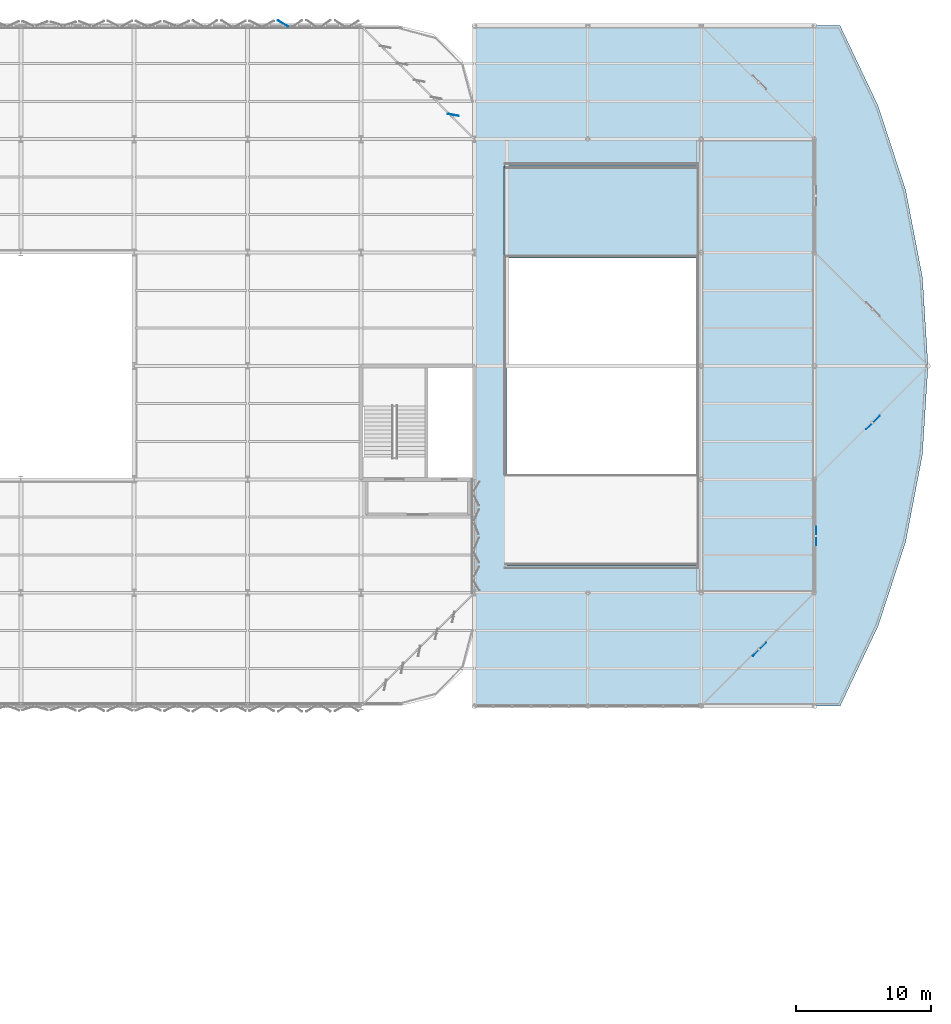
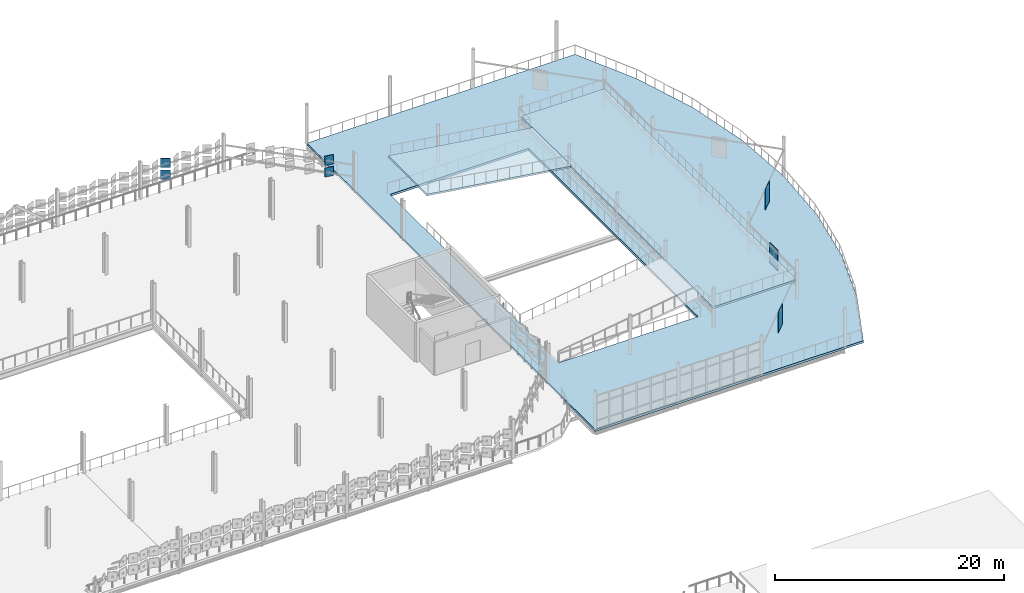
# One storey, part 44 of 69: 7 plates, 3 slabs.
"""IFC4 building model written with IfcOpenShell, lengths in metres."""

from ifc_helpers import new_model, si_unit, direction, frame, origin, origin_2d, place, context, subcontext, project, spatial, polyline, rectangle, outline, extrude, material, layer, layer_set, type_object, element, save


model = new_model("IFC4")

# Units and contexts
model_context = context("Model", 3, precision=1e-05, world=origin(), true_north=direction((0.0, 1.0)))
body_context = subcontext(model_context, "Body", "Model", "MODEL_VIEW")
ifc_project = project(units=[si_unit("LENGTHUNIT", "METRE"), si_unit("AREAUNIT", "SQUARE_METRE"), si_unit("VOLUMEUNIT", "CUBIC_METRE"), si_unit("PLANEANGLEUNIT", "RADIAN"), si_unit("MASSUNIT", "GRAM", prefix="KILO")], contexts=[model_context])

# Site, building, storey
site_placement = place(None, origin())
site = spatial("IfcSite", under=ifc_project, at=site_placement, CompositionType="ELEMENT")
building_placement = place(site_placement, origin())
building = spatial("IfcBuilding", under=site, at=building_placement, Name="Qalvenar Corner Mobility Hub", CompositionType="ELEMENT")
storey_placement = place(building_placement, frame((0.0, 0.0, 13.199951171875)))
storey = spatial("IfcBuildingStorey", under=building, at=storey_placement, Name="L03", CompositionType="ELEMENT", Elevation=13.199951171875)

# Plates
ifc_material_1 = material(Name="Perforated Bronze-Anodised Aluminium", Category="aluminium")
ifc_layer_1 = layer(ifc_material_1, 0.030029296875)
ifc_layer_set_1 = layer_set([ifc_layer_1], Name="Perforated Bronze-Anodised Aluminium")
plate_type_1 = type_object("IfcPlateType", Name="PLT-SCR-ROT", PredefinedType="SHEET", material=ifc_layer_set_1)
for number, where, z_axis, x_axis, name in (
    (1, (163.919921875, 71.39990234375, 0.85009765625), (0.0, 0.0, 1.0), (0.707106781187, 0.707106781187, 0.0), "Rotunda Sun Screen SC1-L03-1"),
    (2, (168.1201171875, 79.800048828125, 0.85009765625), (0.0, 0.0, 1.0), (0.0, 1.0, 0.0), "Rotunda Sun Screen SC1-L03-2"),
    (3, (172.320068359375, 88.199951171875, 0.85009765625), (0.0, 0.0, 1.0), (0.707106781187, 0.707106781187, 0.0), "Rotunda Sun Screen SC1-L03-3"),
):
    element("IfcPlate", number, at=place(storey_placement, frame(where, z_axis=z_axis, x_axis=x_axis)), inside=storey, type_object=plate_type_1, Name=name, PredefinedType="SHEET", context=body_context, shape_type="SweptSolid", body=[
        extrude(rectangle(XDim=1.39990234375, YDim=0.030029296875, at=origin_2d()), origin(), (0.0, 0.0, 1.0), 2.199951171875),
    ])
ifc_material_2 = material(Name="Verdigris-Celadon Anodised Aluminium", Category="aluminium")
ifc_layer_2 = layer(ifc_material_2, 0.0439453125)
ifc_layer_set_2 = layer_set([ifc_layer_2], Name="Verdigris-Celadon Anodised Aluminium")
plate_type_2 = type_object("IfcPlateType", Name="PLT-XC-L3-CRN", PredefinedType="SHEET", material=ifc_layer_set_2)
for number, where, z_axis, x_axis, name in (
    (4, (141.233154296875, 110.9931640625, 1.010009765625), (0.0, 0.0, 1.0), (-0.981627183448, 0.190808995377, 0.0), "Corner Hinged Panel FPC-L03-1061"),
    (5, (141.233154296875, 110.9931640625, 2.260009765625), (0.0, 0.0, 1.0), (-0.981627183448, 0.190808995377, 0.0), "Corner Hinged Panel FPC-L03-1066"),
):
    element("IfcPlate", number, at=place(storey_placement, frame(where, z_axis=z_axis, x_axis=x_axis)), inside=storey, type_object=plate_type_2, Name=name, PredefinedType="SHEET", context=body_context, shape_type="SweptSolid", body=[
        extrude(rectangle(XDim=0.800048828125, YDim=0.0439453125, at=origin_2d()), origin(), (0.0, 0.0, 1.0), 0.97998046875),
    ])
ifc_layer_3 = layer(ifc_material_2, 0.0419921875)
ifc_layer_set_3 = layer_set([ifc_layer_3], Name="Verdigris-Celadon Anodised Aluminium")
plate_type_3 = type_object("IfcPlateType", Name="PLT-XC-L3-STD", PredefinedType="SHEET", material=ifc_layer_set_3)
for number, where, z_axis, x_axis, name in (
    (6, (128.625, 117.760009765625, 1.010009765625), (0.0, 0.0, 1.0), (-0.867852178471, 0.496822499816, 0.0), "Hinged Facade Panel FP-L03-0859"),
    (7, (128.625, 117.760009765625, 2.260009765625), (0.0, 0.0, 1.0), (-0.867852178471, 0.496822499816, 0.0), "Hinged Facade Panel FP-L03-0860"),
):
    element("IfcPlate", number, at=place(storey_placement, frame(where, z_axis=z_axis, x_axis=x_axis)), inside=storey, type_object=plate_type_3, Name=name, PredefinedType="SHEET", context=body_context, shape_type="SweptSolid", body=[
        extrude(rectangle(XDim=0.860107421875, YDim=0.0419921875, at=origin_2d()), origin(), (0.0, 0.0, 1.0), 0.97998046875),
    ])

# Slabs
ifc_material_3 = material(Name="Concrete C35/45", Category="concrete")
ifc_layer_4 = layer(ifc_material_3, 0.239990234375)
ifc_layer_set_4 = layer_set([ifc_layer_4], Name="Concrete C35/45")
slab_type_1 = type_object("IfcSlabType", Name="SLB-COMP200", PredefinedType="FLOOR", material=ifc_layer_set_4)
slab_1_placement = place(storey_placement, frame((0.0, 0.0, -0.239990234375)))
element("IfcSlab", 8, at=slab_1_placement, inside=storey, type_object=slab_type_1, Name="Rotunda Floor Slab V2-L03", PredefinedType="FLOOR", context=body_context, shape_type="SweptSolid", body=[
    extrude(outline(polyline([(142.800048828125, 67.199951171875), (169.8857421875, 67.199951171875), (172.701416015625, 73.13916015625), (174.7451171875, 79.3857421875), (175.984619140625, 85.840576171875), (176.39990234375, 92.39990234375), (175.984619140625, 98.95947265625), (174.7451171875, 105.414306640625), (172.701416015625, 111.660888671875), (169.8857421875, 117.60009765625), (142.800048828125, 117.60009765625), (142.800048828125, 67.199951171875)]), holes=[polyline([(145.199951171875, 77.60009765625), (159.199951171875, 77.60009765625), (159.199951171875, 107.199951171875), (145.199951171875, 107.199951171875), (145.199951171875, 77.60009765625)])]), origin(), (0.0, 0.0, 1.0), 0.239990234375),
])
ifc_layer_5 = layer(ifc_material_3, 0.219970703125)
ifc_layer_set_5 = layer_set([ifc_layer_5], Name="Concrete C35/45")
slab_type_2 = type_object("IfcSlabType", Name="SLB-RLND220", PredefinedType="FLOOR", material=ifc_layer_set_5)
slab_2_placement = place(storey_placement, frame((0.0, 0.0, 1.880126953125)))
element("IfcSlab", 9, at=slab_2_placement, inside=storey, type_object=slab_type_2, Name="Vehicle Circulation Ramp Mid-Landing L03-L04", PredefinedType="FLOOR", context=body_context, shape_type="SweptSolid", body=[
    extrude(outline(polyline([(159.5400390625, 75.60009765625), (168.0, 75.60009765625), (168.0, 109.199951171875), (159.5400390625, 109.199951171875), (159.5400390625, 75.60009765625)])), origin(), (0.0, 0.0, 1.0), 0.219970703125),
])
ifc_material_4 = material(Name="Concrete C35/45", Category="concrete")
ifc_layer_6 = layer(ifc_material_4, 0.18505859375)
ifc_layer_set_6 = layer_set([ifc_layer_6], Name="Concrete C35/45")
slab_type_3 = type_object("IfcSlabType", Name="SLB-VRMP185", PredefinedType="FLOOR", material=ifc_layer_set_6)
slab_3_placement = place(storey_placement, frame((159.60009765625, 100.39990234375, 2.10009765625), z_axis=(0.142359764805, 0.0, 0.98981498138), x_axis=(-0.98981498138, 0.0, 0.142359764805)))
element("IfcSlab", 10, at=slab_3_placement, inside=storey, type_object=slab_type_3, Name="Vehicle Circulation Ramp Structural Slab L03-L04 Upper", PredefinedType="FLOOR", context=body_context, shape_type="SweptSolid", body=[
    extrude(outline(polyline([(0.0, 0.0), (14.750330042379371, 0.0), (14.750330042379371, -6.800048828125), (0.0, -6.800048828125), (0.0, 0.0)])), origin(), (0.0, 0.0, -1.0), 0.18505859375),
])

save(model, "model.ifc")
